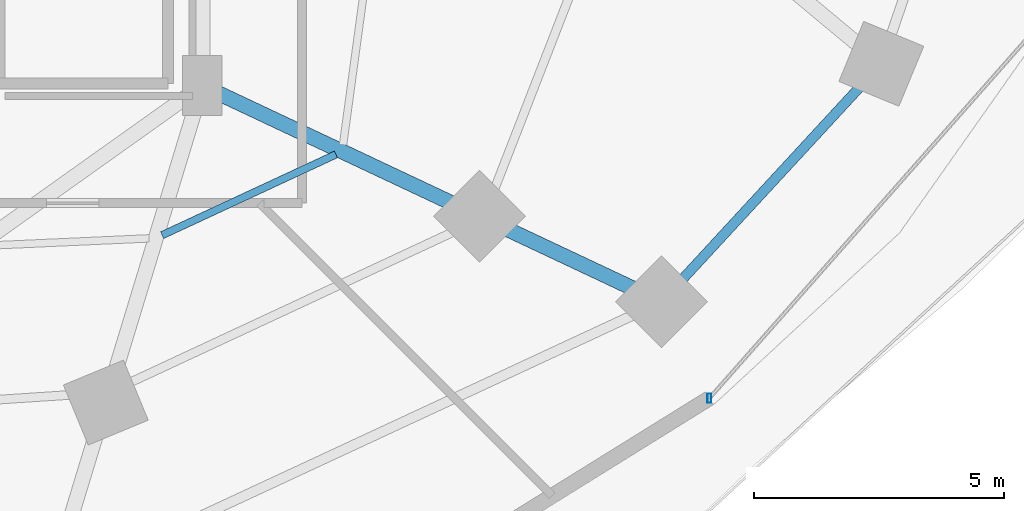
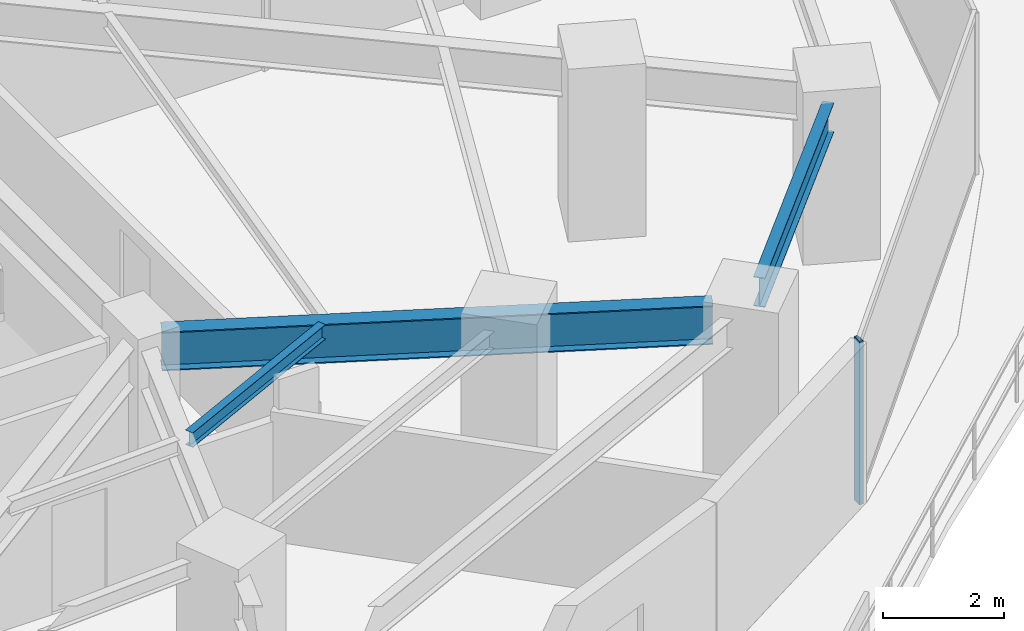
# One storey, part 13 of 36: 3 beams, 1 member, 1 element without a shape of its own.
"""IFC4 building model written with IfcOpenShell, lengths in metres."""

from ifc_helpers import new_model, si_unit, direction, frame, origin, origin_2d, place, context, subcontext, project, spatial, hollow_rectangle, i_section, extrude, material, material_profile, profile_set, type_object, element, aggregate, save


model = new_model("IFC4")

# Units and contexts
model_context = context("Model", 3, precision=1e-05, world=origin(), true_north=direction((0.0, 1.0)))
body_context = subcontext(model_context, "Body", "Model", "MODEL_VIEW")
ifc_project = project(units=[si_unit("LENGTHUNIT", "METRE"), si_unit("AREAUNIT", "SQUARE_METRE"), si_unit("VOLUMEUNIT", "CUBIC_METRE"), si_unit("PLANEANGLEUNIT", "RADIAN"), si_unit("MASSUNIT", "GRAM", prefix="KILO")], contexts=[model_context])

# Site, building, storey
site_placement = place(None, origin())
site = spatial("IfcSite", under=ifc_project, at=site_placement, CompositionType="ELEMENT")
building_placement = place(site_placement, origin())
building = spatial("IfcBuilding", under=site, at=building_placement, Name="Vorneva Point Tower", CompositionType="ELEMENT")
storey_placement = place(building_placement, frame((0.0, 0.0, 24.0)))
storey = spatial("IfcBuildingStorey", under=building, at=storey_placement, Name="L05", CompositionType="ELEMENT", Elevation=24.0)

# Beams
ifc_material_1 = material(Name="Steel S355", Category="steel")
ifc_material_profile_1 = material_profile(ifc_material_1, i_section(OverallWidth=0.300048828125, OverallDepth=0.7880859375, WebThickness=0.014404296875, FlangeThickness=0.02197265625, at=origin_2d()), Name="80Sh1")
ifc_profile_set_1 = profile_set([ifc_material_profile_1], Name="Steel S355")
beam_type_1 = type_object("IfcBeamType", Name="BM-GRD-80Sh1", PredefinedType="USERDEFINED", material=ifc_profile_set_1)
beam_1_placement = place(storey_placement, frame((57.361572265625, 12.39599609375, 2.845947265625), z_axis=(-0.904758409006, 0.425925135831, 0.0), x_axis=(-0.425925135831, -0.904758409006, 0.0)))
element("IfcBeam", 1, at=beam_1_placement, inside=storey, type_object=beam_type_1, Name="L05 Radial Primary Girder 15", ObjectType="GIRDER", PredefinedType="USERDEFINED", context=body_context, shape_type="SweptSolid", body=[
    extrude(i_section(OverallWidth=0.300048828125, OverallDepth=0.7880859375, WebThickness=0.014404296875, FlangeThickness=0.02197265625, at=origin_2d()), origin(), (0.0, 0.0, 1.0), 9.177978515625),
])
ifc_material_profile_2 = material_profile(ifc_material_1, i_section(OverallWidth=0.14892578125, OverallDepth=0.298095703125, WebThickness=0.005615234375, FlangeThickness=0.008056640625, at=origin_2d()), Name="30B1")
ifc_profile_set_2 = profile_set([ifc_material_profile_2], Name="Steel S355")
beam_type_2 = type_object("IfcBeamType", Name="BM-JST-30B1", PredefinedType="JOIST", material=ifc_profile_set_2)
beam_2_placement = place(storey_placement, frame((47.947509765625, 13.458984375, 3.091064453125), z_axis=(0.906875117786, 0.421399478808, 0.0), x_axis=(-0.421399478808, 0.906875117786, 0.0)))
element("IfcBeam", 2, at=beam_2_placement, inside=storey, type_object=beam_type_2, Name="L05 Secondary Floor Beam 2.14", PredefinedType="JOIST", context=body_context, shape_type="SweptSolid", body=[
    extrude(i_section(OverallWidth=0.14892578125, OverallDepth=0.298095703125, WebThickness=0.005615234375, FlangeThickness=0.008056640625, at=origin_2d()), origin(), (0.0, 0.0, 1.0), 3.8330078125),
])
ifc_material_profile_3 = material_profile(ifc_material_1, i_section(OverallWidth=0.198974609375, OverallDepth=0.595947265625, WebThickness=0.010009765625, FlangeThickness=0.014892578125, at=origin_2d()), Name="60B1")
ifc_profile_set_3 = profile_set([ifc_material_profile_3], Name="Steel S355")
beam_type_3 = type_object("IfcBeamType", Name="BM-SPN-60B1", PredefinedType="SPANDREL", material=ifc_profile_set_3)
beam_3_placement = place(storey_placement, frame((58.369384765625, 12.5908203125, 2.94189453125), z_axis=(0.678317071649, 0.734769317752, 0.0), x_axis=(-0.734769317752, 0.678317071649, 0.0)))
element("IfcBeam", 3, at=beam_3_placement, inside=storey, type_object=beam_type_3, Name="L05 Perimeter Spandrel Ring Beam 15", PredefinedType="SPANDREL", context=body_context, shape_type="SweptSolid", body=[
    extrude(i_section(OverallWidth=0.198974609375, OverallDepth=0.595947265625, WebThickness=0.010009765625, FlangeThickness=0.014892578125, at=origin_2d()), origin(), (0.0, 0.0, 1.0), 5.211181640625),
])

# Curtain wall, member
ifc_material_2 = material(Name="Pale anodised aluminium", Category="aluminium")
curtain_wall_type = type_object("IfcCurtainWallType", Name="CW-HTL-SYS", PredefinedType="NOTDEFINED", material=ifc_material_2)
curtain_wall_placement = place(storey_placement, origin())
curtain_wall = element("IfcCurtainWall", 4, at=curtain_wall_placement, inside=storey, type_object=curtain_wall_type, Name="L05 Unitised Curtain Wall CW-L05-R01", PredefinedType="NOTDEFINED")
ifc_material_profile_4 = material_profile(ifc_material_2, hollow_rectangle(XDim=0.074951171875, YDim=0.179931640625, WallThickness=0.00390625, at=origin_2d()), Name="AL-MUL 180x75x4")
ifc_profile_set_4 = profile_set([ifc_material_profile_4], Name="Pale anodised aluminium")
member_type = type_object("IfcMemberType", Name="CW-MUL-180", PredefinedType="MULLION", material=ifc_profile_set_4)
member_placement = place(storey_placement, frame((58.89501953125, 10.1962890625, -0.0400390625), z_axis=(0.0, 0.0, 1.0), x_axis=(1.0, 0.0, 0.0)))
member = element("IfcMember", 5, at=member_placement, type_object=member_type, Name="CW-L05-R01 Mullion 01", PredefinedType="MULLION", context=body_context, shape_type="SweptSolid", body=[
    extrude(hollow_rectangle(XDim=0.074951171875, YDim=0.179931640625, WallThickness=0.00390625, at=origin_2d()), origin(), (0.0, 0.0, 1.0), 3.31005859375),
])
aggregate(curtain_wall, [member])

save(model, "model.ifc")
